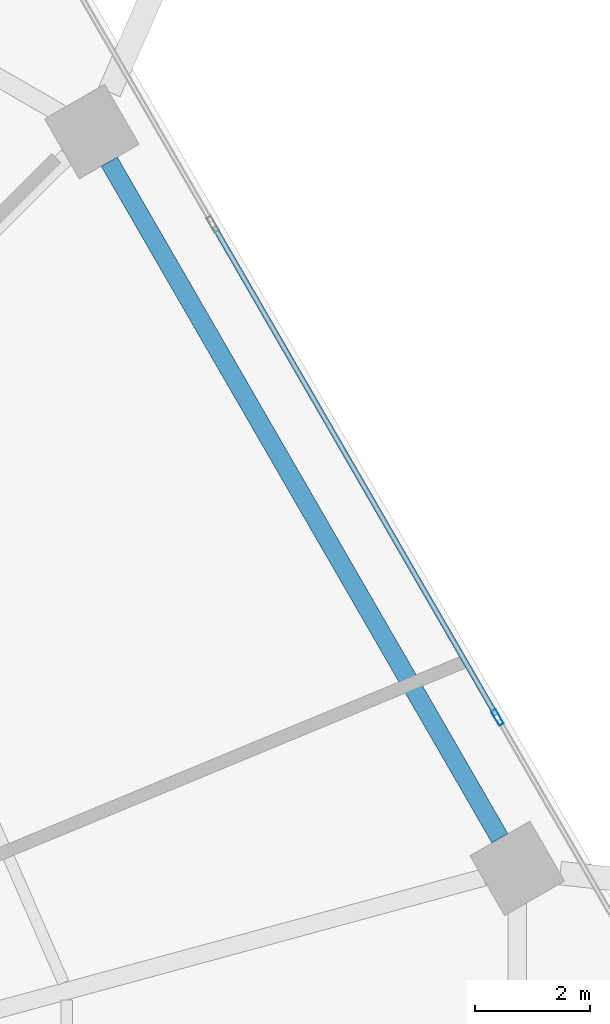
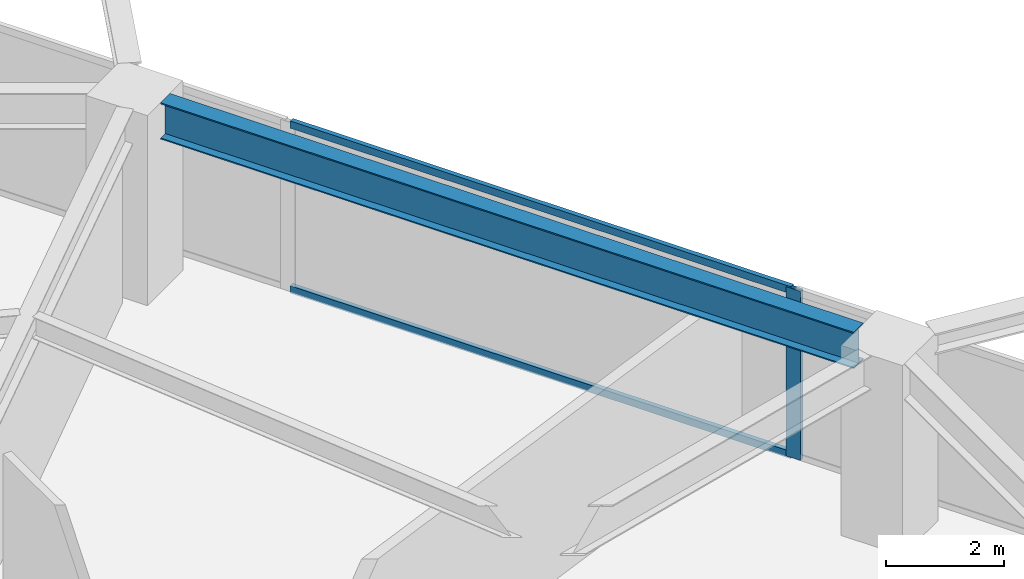
# One storey, part 17 of 25: 3 members, 1 beam, 1 element without a shape of its own.
"""IFC4 building model written with IfcOpenShell, lengths in metres."""

from ifc_helpers import new_model, si_unit, direction, frame, origin, origin_2d, place, context, subcontext, project, spatial, hollow_rectangle, i_section, extrude, material, material_profile, profile_set, type_object, element, aggregate, save


model = new_model("IFC4")

# Units and contexts
model_context = context("Model", 3, precision=1e-05, world=origin(), true_north=direction((0.0, 1.0)))
body_context = subcontext(model_context, "Body", "Model", "MODEL_VIEW")
ifc_project = project(units=[si_unit("LENGTHUNIT", "METRE"), si_unit("AREAUNIT", "SQUARE_METRE"), si_unit("VOLUMEUNIT", "CUBIC_METRE"), si_unit("PLANEANGLEUNIT", "RADIAN"), si_unit("MASSUNIT", "GRAM", prefix="KILO")], contexts=[model_context])

# Site, building, storey
site_placement = place(None, origin())
site = spatial("IfcSite", under=ifc_project, at=site_placement, CompositionType="ELEMENT")
building_placement = place(site_placement, origin())
building = spatial("IfcBuilding", under=site, at=building_placement, Name="Zuhravey Tower", CompositionType="ELEMENT")
storey_placement = place(building_placement, frame((0.0, 0.0, 70.800048828125)))
storey = spatial("IfcBuildingStorey", under=building, at=storey_placement, Name="L17", CompositionType="ELEMENT", Elevation=70.800048828125)

# Curtain wall, members
ifc_material_1 = material(Name="Thermally broken anodised aluminium", Category="aluminium")
curtain_wall_type = type_object("IfcCurtainWallType", Name="School Low-E Unitised Curtain Wall CW1", PredefinedType="NOTDEFINED", material=ifc_material_1)
curtain_wall_placement = place(storey_placement, origin())
curtain_wall = element("IfcCurtainWall", 1, at=curtain_wall_placement, inside=storey, type_object=curtain_wall_type, Name="L17 CW1 CW-L17-F1-1", PredefinedType="NOTDEFINED")
ifc_material_2 = material(Name="Anodised aluminium", Category="aluminium")
ifc_material_profile_1 = material_profile(ifc_material_2, hollow_rectangle(XDim=0.090087890625, YDim=0.284912109375, WallThickness=0.0048828125, at=origin_2d()), Name="ALU-RHS-90x285x5")
ifc_profile_set_1 = profile_set([ifc_material_profile_1], Name="Anodised aluminium")
member_type_1 = type_object("IfcMemberType", Name="Curtain-Wall Mullion 90x180", PredefinedType="MULLION", material=ifc_profile_set_1)
member_1_placement = place(storey_placement, frame((63.54541015625, 42.20703125, 0.0), z_axis=(0.0, 0.0, 1.0), x_axis=(0.86602552265, 0.499999794119, 0.0)))
member_1 = element("IfcMember", 2, at=member_1_placement, type_object=member_type_1, Name="CW1 mullion 3", PredefinedType="MULLION", context=body_context, shape_type="SweptSolid", body=[
    extrude(hollow_rectangle(XDim=0.090087890625, YDim=0.284912109375, WallThickness=0.0048828125, at=origin_2d()), origin(), (0.0, 0.0, 1.0), 3.491943359375),
])
ifc_material_profile_2 = material_profile(ifc_material_2, hollow_rectangle(XDim=0.090087890625, YDim=0.14990234375, WallThickness=0.0048828125, at=origin_2d()), Name="ALU-RHS-90x150x5")
ifc_profile_set_2 = profile_set([ifc_material_profile_2], Name="Anodised aluminium")
member_type_2 = type_object("IfcMemberType", Name="Curtain-Wall Transom 90x150", PredefinedType="USERDEFINED", material=ifc_profile_set_2)
member_2_placement = place(storey_placement, frame((58.634765625, 50.712646484375, 0.044921875), z_axis=(0.499990498062, -0.866030889661, 0.0), x_axis=(0.866030889661, 0.499990498062, 0.0)))
member_2 = element("IfcMember", 3, at=member_2_placement, type_object=member_type_2, Name="CW1 transom 2.1", ObjectType="TRANSOM", PredefinedType="USERDEFINED", context=body_context, shape_type="SweptSolid", body=[
    extrude(hollow_rectangle(XDim=0.090087890625, YDim=0.14990234375, WallThickness=0.0048828125, at=origin_2d()), origin(), (0.0, 0.0, 1.0), 9.776611328125),
])
member_3_placement = place(storey_placement, frame((58.634765625, 50.712646484375, 3.447021484375), z_axis=(0.499990498062, -0.866030889661, 0.0), x_axis=(0.866030889661, 0.499990498062, 0.0)))
member_3 = element("IfcMember", 4, at=member_3_placement, type_object=member_type_2, Name="CW1 transom 2.2", ObjectType="TRANSOM", PredefinedType="USERDEFINED", context=body_context, shape_type="SweptSolid", body=[
    extrude(hollow_rectangle(XDim=0.090087890625, YDim=0.14990234375, WallThickness=0.0048828125, at=origin_2d()), origin(), (0.0, 0.0, 1.0), 9.776611328125),
])
aggregate(curtain_wall, [member_1, member_2, member_3])

# Beam
ifc_material_3 = material(Name="Steel SM355", Category="steel")
ifc_material_profile_3 = material_profile(ifc_material_3, i_section(OverallWidth=0.320068359375, OverallDepth=0.75, WebThickness=0.013916015625, FlangeThickness=0.02490234375, at=origin_2d()), Name="H-750x320x14x25")
ifc_profile_set_3 = profile_set([ifc_material_profile_3], Name="Steel SM355")
beam_type = type_object("IfcBeamType", Name="Perimeter Ring Beam H750x320", PredefinedType="BEAM", material=ifc_profile_set_3)
beam_placement = place(storey_placement, frame((63.587646484375, 40.11376953125, 3.544921875), z_axis=(-0.499999877243, 0.866025474658, 0.0), x_axis=(-0.866025474658, -0.499999877243, 0.0)))
element("IfcBeam", 5, at=beam_placement, inside=storey, type_object=beam_type, Name="L17 PB1 BM-L17-PB-01", PredefinedType="BEAM", context=body_context, shape_type="SweptSolid", body=[
    extrude(i_section(OverallWidth=0.320068359375, OverallDepth=0.75, WebThickness=0.013916015625, FlangeThickness=0.02490234375, at=origin_2d()), origin(), (0.0, 0.0, 1.0), 13.5341796875),
])

save(model, "model.ifc")
